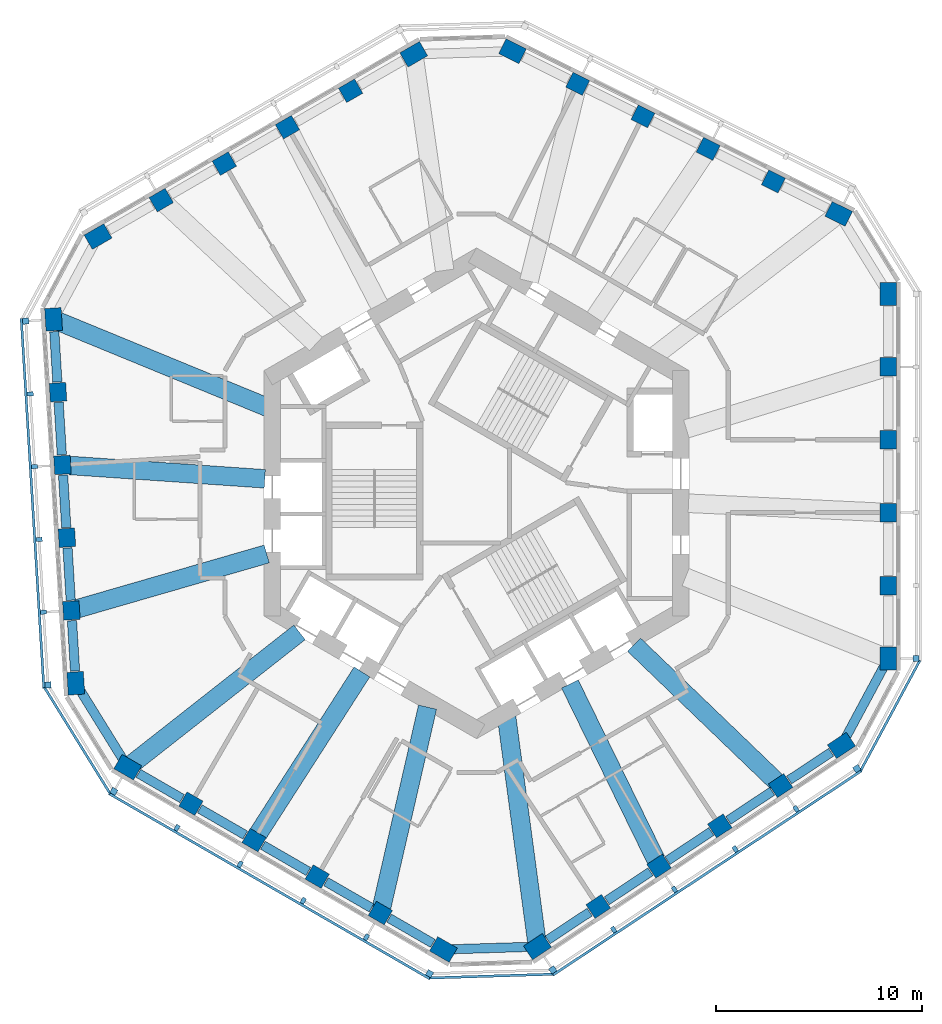
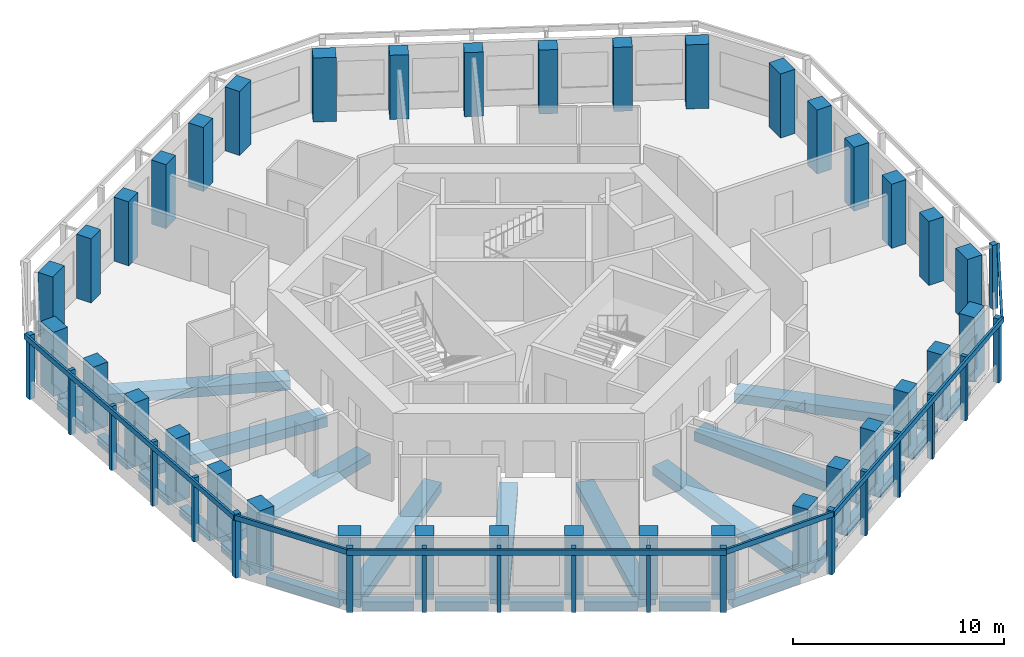
# One storey, part 1 of 11: 36 columns, 27 beams, 25 members, 7 elements without a shape of their own.
"""IFC4 building model written with IfcOpenShell, lengths in metres."""

import ifcopenshell
import ifcopenshell.guid

model = None  # the IFC model being written
_history = None  # IfcOwnerHistory: only IFC2X3 demands one
_inside = {}  # id of a spatial element -> (the spatial element, [elements in it])
_under = {}  # id of a project, library or spatial element -> (it, [spatial elements below it])
_declared = {}  # id of a project -> (the project, [libraries it declares])
_typed = {}  # id of a type object -> (the type object, [elements of that type])
_made_of = {}  # id of a material, layer set ... -> (it, [elements and type objects made of it])


def new_model(schema):
    """Start an empty IFC model of exactly this schema.

    Asked for "IFC4X3", IfcOpenShell would pick the latest addendum, in which some entities
    have other attributes; the version numbers below select the first issue.
    IFC2X3 requires an IfcOwnerHistory on every rooted entity: one is made here for all.
    """
    global model, _history
    if schema == "IFC4X3":
        model = ifcopenshell.file(schema_version=(4, 3, 0, 0))
    else:
        model = ifcopenshell.file(schema=schema)
    _inside.clear()
    _under.clear()
    _declared.clear()
    _typed.clear()
    _made_of.clear()
    _history = None
    if model.schema == "IFC2X3":
        org = make("IfcOrganization", Name="unknown")
        user = make(
            "IfcPersonAndOrganization",
            ThePerson=make("IfcPerson", FamilyName="unknown"),
            TheOrganization=org,
        )
        app = make(
            "IfcApplication",
            ApplicationDeveloper=org,
            Version="unknown",
            ApplicationFullName="unknown",
            ApplicationIdentifier="unknown",
        )
        _history = make(
            "IfcOwnerHistory",
            OwningUser=user,
            OwningApplication=app,
            ChangeAction="ADDED",
            CreationDate=0,
        )
    return model


def make(cls, **values):
    """One entity of the class cls with the attributes given. An attribute that is None is left unset."""
    return model.create_entity(
        cls, **{name: value for name, value in values.items() if value is not None}
    )


def rooted(cls, **values):
    """An entity with a GlobalId (a new one), such as an element, a storey or a relation."""
    return make(cls, GlobalId=ifcopenshell.guid.new(), OwnerHistory=_history, **values)


def si_unit(unit_type, name, prefix=None):
    """IfcSIUnit, for example si_unit("LENGTHUNIT", "METRE", prefix="MILLI")."""
    return make("IfcSIUnit", UnitType=unit_type, Prefix=prefix, Name=name)


def assignment(units):
    """IfcUnitAssignment: the units of a project."""
    return None if units is None else make("IfcUnitAssignment", Units=units)


def point(xyz):
    """IfcCartesianPoint."""
    return None if xyz is None else make("IfcCartesianPoint", Coordinates=xyz)


def direction(xyz):
    """IfcDirection."""
    return None if xyz is None else make("IfcDirection", DirectionRatios=xyz)


def frame(location, z_axis=None, x_axis=None):
    """IfcAxis2Placement3D, a coordinate frame: its origin and axes. An axis left out is left unset."""
    return make(
        "IfcAxis2Placement3D",
        Location=point(location),
        Axis=direction(z_axis),
        RefDirection=direction(x_axis),
    )


def frame_2d(location, x_axis=None):
    """IfcAxis2Placement2D, a coordinate frame in the plane: its origin and x axis."""
    return make(
        "IfcAxis2Placement2D", Location=point(location), RefDirection=direction(x_axis)
    )


def origin():
    """The frame at (0, 0, 0) with its axes left unset."""
    return frame((0.0, 0.0, 0.0))


def origin_2d():
    """The frame at (0, 0) in the plane with its x axis left unset."""
    return frame_2d((0.0, 0.0))


def place(relative_to, where):
    """IfcLocalPlacement: puts the frame where relative to a parent placement (None: the world)."""
    return make(
        "IfcLocalPlacement", PlacementRelTo=relative_to, RelativePlacement=where
    )


def context(
    kind, dimensions, precision=None, world=None, true_north=None, identifier=None
):
    """IfcGeometricRepresentationContext, for example the 3D "Model" context."""
    return make(
        "IfcGeometricRepresentationContext",
        ContextIdentifier=identifier,
        ContextType=kind,
        CoordinateSpaceDimension=dimensions,
        Precision=precision,
        WorldCoordinateSystem=world,
        TrueNorth=true_north,
    )


def subcontext(parent, identifier, kind, view, scale=None):
    """IfcGeometricRepresentationSubContext, for example "Body" below "Model"."""
    return make(
        "IfcGeometricRepresentationSubContext",
        ContextIdentifier=identifier,
        ContextType=kind,
        ParentContext=parent,
        TargetScale=scale,
        TargetView=view,
    )


def project(units=None, contexts=None):
    """IfcProject with its units and contexts."""
    return rooted(
        "IfcProject",
        Name="project",
        RepresentationContexts=contexts,
        UnitsInContext=assignment(units),
    )


def spatial(cls, under=None, at=None, **own):
    """A site, building, storey or space (cls), placed at a placement, below another one or the project."""
    s = rooted(cls, ObjectPlacement=at, **own)
    if under is not None:
        _under.setdefault(under.id(), (under, []))[1].append(s)
    return s


def profile(cls, at=None, kind="AREA", **sizes):
    """A parametric profile (cls). Its sizes go by their IFC names, for example OverallWidth=200.0."""
    return make(cls, ProfileType=kind, Position=at, **sizes)


def rectangle(**sizes):
    """IfcRectangleProfileDef."""
    return profile("IfcRectangleProfileDef", **sizes)


def extrude(swept, where, along, depth):
    """IfcExtrudedAreaSolid: the profile swept, set in the frame where, extruded along a direction by depth."""
    return make(
        "IfcExtrudedAreaSolid",
        SweptArea=swept,
        Position=where,
        ExtrudedDirection=direction(along),
        Depth=depth,
    )


def shape(context_of_items, identifier, shape_type, items):
    """IfcShapeRepresentation: the items that make up one representation, for example the "Body"."""
    return make(
        "IfcShapeRepresentation",
        ContextOfItems=context_of_items,
        RepresentationIdentifier=identifier,
        RepresentationType=shape_type,
        Items=items,
    )


def material(Name=None, Category=None):
    """IfcMaterial."""
    return make("IfcMaterial", Name=Name, Category=Category)


def material_profile(
    of_material, cross_section, Name=None, Category=None, Priority=None
):
    """IfcMaterialProfile: a cross section and its material."""
    return make(
        "IfcMaterialProfile",
        Name=Name,
        Material=of_material,
        Profile=cross_section,
        Priority=Priority,
        Category=Category,
    )


def profile_set(profiles, Name=None, composite=None):
    """IfcMaterialProfileSet."""
    return make(
        "IfcMaterialProfileSet",
        Name=Name,
        MaterialProfiles=profiles,
        CompositeProfile=composite,
    )


def made_of(thing, what):
    """Note that an element or type object is made of a material, layer set ...; save() writes the relation."""
    if what is not None:
        _made_of.setdefault(what.id(), (what, []))[1].append(thing)
    return thing


def type_object(cls, material=None, **own):
    """A type object (cls), such as IfcWallType, which elements share."""
    return made_of(rooted(cls, **own), material)


def element(
    cls,
    number,
    at=None,
    inside=None,
    cuts=None,
    type_object=None,
    material=None,
    context=None,
    identifier="Body",
    shape_type=None,
    held_by="IfcProductDefinitionShape",
    body=None,
    shapes=None,
    **own,
):
    """One element of the class cls, such as IfcWall. Its Tag is "e" and its number.

    at: its placement. inside: the storey or other place that contains it. cuts: it is an
    opening in that element (IfcRelVoidsElement). A single representation is given by context,
    identifier, shape_type and body (its items); several are given by shapes. held_by: the class
    of the entity that holds the representations. save() writes the other relations.
    """
    e = rooted(cls, Tag="e%d" % number, ObjectPlacement=at, **own)
    if body is not None:
        shapes = [shape(context, identifier, shape_type, body)]
    if shapes is not None:
        e.Representation = make(held_by, Representations=shapes)
    if inside is not None:
        _inside.setdefault(inside.id(), (inside, []))[1].append(e)
    if cuts is not None:
        rooted(
            "IfcRelVoidsElement", RelatingBuildingElement=cuts, RelatedOpeningElement=e
        )
    if type_object is not None:
        _typed.setdefault(type_object.id(), (type_object, []))[1].append(e)
    return made_of(e, material)


def aggregate(whole, parts):
    """IfcRelAggregates: a whole, such as a stair, and the parts it consists of."""
    return rooted("IfcRelAggregates", RelatingObject=whole, RelatedObjects=parts)


def save(model, path):
    """Write the relations noted so far, then the file.

    IfcRelAggregates (storeys below a building ...), IfcRelContainedInSpatialStructure (elements
    in a storey), IfcRelDefinesByType, IfcRelAssociatesMaterial and IfcRelDeclares: one each for
    every whole, place, type object, material and project.
    """
    for whole, parts in _under.values():
        aggregate(whole, parts)
    for where, things in _inside.values():
        rooted(
            "IfcRelContainedInSpatialStructure",
            RelatedElements=things,
            RelatingStructure=where,
        )
    for kind, things in _typed.values():
        rooted("IfcRelDefinesByType", RelatedObjects=things, RelatingType=kind)
    for what, things in _made_of.values():
        rooted("IfcRelAssociatesMaterial", RelatedObjects=things, RelatingMaterial=what)
    for by, libraries in _declared.values():
        rooted("IfcRelDeclares", RelatingContext=by, RelatedDefinitions=libraries)
    model.write(path)


model = new_model("IFC4")

# Units and contexts
model_context = context("Model", 3, precision=1e-05, world=origin(), true_north=direction((0.0, 1.0)))
body_context = subcontext(model_context, "Body", "Model", "MODEL_VIEW")
ifc_project = project(units=[si_unit("LENGTHUNIT", "METRE"), si_unit("AREAUNIT", "SQUARE_METRE"), si_unit("VOLUMEUNIT", "CUBIC_METRE"), si_unit("PLANEANGLEUNIT", "RADIAN"), si_unit("MASSUNIT", "GRAM", prefix="KILO")], contexts=[model_context])

# Site, building, storey
site_placement = place(None, origin())
site = spatial("IfcSite", under=ifc_project, at=site_placement, CompositionType="ELEMENT")
building_placement = place(site_placement, origin())
building = spatial("IfcBuilding", under=site, at=building_placement, Name="Vanh Sen Convention Tower", CompositionType="ELEMENT")
storey_placement = place(building_placement, frame((0.0, 0.0, 229.10009765625)))
storey = spatial("IfcBuildingStorey", under=building, at=storey_placement, Name="L56", CompositionType="ELEMENT", Elevation=229.10009765625)

# Columns
ifc_material_1 = material(Name="Concrete C60/75", Category="concrete")
ifc_material_profile_1 = material_profile(ifc_material_1, rectangle(XDim=0.89990234375, YDim=0.800048828125, at=origin_2d()), Name="RC 900X800")
ifc_profile_set_1 = profile_set([ifc_material_profile_1], Name="Concrete C60/75")
column_type_1 = type_object("IfcColumnType", Name="Facade column 900 x 800 C60/75", PredefinedType="COLUMN", material=ifc_profile_set_1)
for number, where, z_axis, x_axis, name in (
    (1, (19.949951171875, -4.46923828125, 0.0), (0.0, 0.0, 1.0), (0.0, 1.0, 0.0), "Facade column 02 L56"),
    (2, (19.949951171875, -0.935546875, 0.0), (0.0, 0.0, 1.0), (0.0, 1.0, 0.0), "Facade column 03 L56"),
    (3, (19.949951171875, 2.59814453125, 0.0), (0.0, 0.0, 1.0), (0.0, 1.0, 0.0), "Facade column 04 L56"),
    (4, (19.949951171875, 6.131591796875, 0.0), (0.0, 0.0, 1.0), (0.0, 1.0, 0.0), "Facade column 05 L56"),
    (5, (14.38916015625, 15.117919921875, 0.0), (0.0, 0.0, 1.0), (-0.894934361602, 0.44619781311, 0.0), "Facade column 08 L56"),
    (6, (11.226806640625, 16.694580078125, 0.0), (0.0, 0.0, 1.0), (-0.894934361602, 0.44619781311, 0.0), "Facade column 09 L56"),
    (7, (8.064453125, 18.271484375, 0.0), (0.0, 0.0, 1.0), (-0.894934361602, 0.44619781311, 0.0), "Facade column 10 L56"),
    (8, (4.902099609375, 19.84814453125, 0.0), (0.0, 0.0, 1.0), (-0.894934361602, 0.44619781311, 0.0), "Facade column 11 L56"),
    (9, (-6.1044921875, 19.51171875, 0.0), (0.0, 0.0, 1.0), (-0.866025403784, -0.5, 0.0), "Facade column 14 L56"),
    (10, (-9.164794921875, 17.7451171875, 0.0), (0.0, 0.0, 1.0), (-0.866025403784, -0.5, 0.0), "Facade column 15 L56"),
    (11, (-12.22509765625, 15.978271484375, 0.0), (0.0, 0.0, 1.0), (-0.866025403784, -0.5, 0.0), "Facade column 16 L56"),
    (12, (-15.28515625, 14.211181640625, 0.0), (0.0, 0.0, 1.0), (-0.866025403784, -0.5, 0.0), "Facade column 17 L56"),
    (13, (-20.287109375, 4.90234375, 0.0), (0.0, 0.0, 1.0), (0.061048539535, -0.998134798422, 0.0), "Facade column 20 L56"),
    (14, (-20.0712890625, 1.375244140625, 0.0), (0.0, 0.0, 1.0), (0.061048539535, -0.998134798422, 0.0), "Facade column 21 L56"),
    (15, (-19.855712890625, -2.151611328125, 0.0), (0.0, 0.0, 1.0), (0.061048539535, -0.998134798422, 0.0), "Facade column 22 L56"),
    (16, (-19.639892578125, -5.6787109375, 0.0), (0.0, 0.0, 1.0), (0.061048539535, -0.998134798422, 0.0), "Facade column 23 L56"),
    (17, (-13.845458984375, -15.04248046875, 0.0), (0.0, 0.0, 1.0), (0.866025403784, -0.5, 0.0), "Facade column 26 L56"),
    (18, (-10.78515625, -16.809326171875, 0.0), (0.0, 0.0, 1.0), (0.866025403784, -0.5, 0.0), "Facade column 27 L56"),
    (19, (-7.72509765625, -18.576416015625, 0.0), (0.0, 0.0, 1.0), (0.866025403784, -0.5, 0.0), "Facade column 28 L56"),
    (20, (-4.664794921875, -20.343017578125, 0.0), (0.0, 0.0, 1.0), (0.866025403784, -0.5, 0.0), "Facade column 29 L56"),
    (21, (5.89794921875, -20.0205078125, 0.0), (0.0, 0.0, 1.0), (0.833885822067, 0.551936985312, 0.0), "Facade column 32 L56"),
    (22, (8.844482421875, -18.070068359375, 0.0), (0.0, 0.0, 1.0), (0.833885822067, 0.551936985312, 0.0), "Facade column 33 L56"),
    (23, (11.791259765625, -16.11962890625, 0.0), (0.0, 0.0, 1.0), (0.833885822067, 0.551936985312, 0.0), "Facade column 34 L56"),
    (24, (14.73779296875, -14.169189453125, 0.0), (0.0, 0.0, 1.0), (0.833885822067, 0.551936985312, 0.0), "Facade column 35 L56"),
):
    element("IfcColumn", number, at=place(storey_placement, frame(where, z_axis=z_axis, x_axis=x_axis)), inside=storey, type_object=column_type_1, Name=name, PredefinedType="COLUMN", context=body_context, shape_type="SweptSolid", body=[
        extrude(rectangle(XDim=0.89990234375, YDim=0.800048828125, at=origin_2d()), origin(), (0.0, 0.0, 1.0), 3.699951171875),
    ])
ifc_material_profile_2 = material_profile(ifc_material_1, rectangle(XDim=1.10009765625, YDim=0.800048828125, at=origin_2d()), Name="RC 1100X800")
ifc_profile_set_2 = profile_set([ifc_material_profile_2], Name="Concrete C60/75")
column_type_2 = type_object("IfcColumnType", Name="Facade corner column 1100 x 800 C60/75", PredefinedType="COLUMN", material=ifc_profile_set_2)
for number, where, z_axis, x_axis, name in (
    (25, (19.949951171875, -8.002685546875, 0.0), (0.0, 0.0, 1.0), (0.0, 1.0, 0.0), "Facade column 01 L56"),
    (26, (19.949951171875, 9.665283203125, 0.0), (0.0, 0.0, 1.0), (0.0, 1.0, 0.0), "Facade column 06 L56"),
    (27, (17.551513671875, 13.541259765625, 0.0), (0.0, 0.0, 1.0), (-0.894934361602, 0.44619781311, 0.0), "Facade column 07 L56"),
    (28, (1.73974609375, 21.4248046875, 0.0), (0.0, 0.0, 1.0), (-0.894934361602, 0.44619781311, 0.0), "Facade column 12 L56"),
    (29, (-3.04443359375, 21.278564453125, 0.0), (0.0, 0.0, 1.0), (-0.866025403784, -0.5, 0.0), "Facade column 13 L56"),
    (30, (-18.345458984375, 12.444580078125, 0.0), (0.0, 0.0, 1.0), (-0.866025403784, -0.5, 0.0), "Facade column 18 L56"),
    (31, (-20.502685546875, 8.429443359375, 0.0), (0.0, 0.0, 1.0), (0.061048539535, -0.998134798422, 0.0), "Facade column 19 L56"),
    (32, (-19.42431640625, -9.205810546875, 0.0), (0.0, 0.0, 1.0), (0.061048539535, -0.998134798422, 0.0), "Facade column 24 L56"),
    (33, (-16.905517578125, -13.27587890625, 0.0), (0.0, 0.0, 1.0), (0.866025403784, -0.5, 0.0), "Facade column 25 L56"),
    (34, (-1.6044921875, -22.10986328125, 0.0), (0.0, 0.0, 1.0), (0.866025403784, -0.5, 0.0), "Facade column 30 L56"),
    (35, (2.951416015625, -21.970703125, 0.0), (0.0, 0.0, 1.0), (0.833885822067, 0.551936985312, 0.0), "Facade column 31 L56"),
    (36, (17.6845703125, -12.218994140625, 0.0), (0.0, 0.0, 1.0), (0.833885822067, 0.551936985312, 0.0), "Facade column 36 L56"),
):
    element("IfcColumn", number, at=place(storey_placement, frame(where, z_axis=z_axis, x_axis=x_axis)), inside=storey, type_object=column_type_2, Name=name, PredefinedType="COLUMN", context=body_context, shape_type="SweptSolid", body=[
        extrude(rectangle(XDim=1.10009765625, YDim=0.800048828125, at=origin_2d()), origin(), (0.0, 0.0, 1.0), 3.699951171875),
    ])

# Curtain wall, member
ifc_material_2 = material(Name="Concrete C50/60", Category="concrete")
curtain_wall_type = type_object("IfcCurtainWallType", Name="Outer skin office zone", PredefinedType="NOTDEFINED", material=ifc_material_2)
curtain_wall_1_placement = place(storey_placement, origin())
curtain_wall_1 = element("IfcCurtainWall", 37, at=curtain_wall_1_placement, inside=storey, type_object=curtain_wall_type, Name="OUTER SKIN E L56", PredefinedType="NOTDEFINED")
ifc_material_profile_3 = material_profile(ifc_material_2, rectangle(XDim=0.300048828125, YDim=0.300048828125, at=origin_2d()), Name="Outer skin precast corner fin 300 x 300")
ifc_profile_set_3 = profile_set([ifc_material_profile_3], Name="Concrete C50/60")
member_type_1 = type_object("IfcMemberType", Name="Outer skin precast corner fin 300 x 300", PredefinedType="MULLION", material=ifc_profile_set_3)
member_1_placement = place(storey_placement, frame((21.300048828125, -8.002685546875, 0.0), z_axis=(0.0, 0.0, 1.0), x_axis=(0.0, 1.0, 0.0)))
member_1 = element("IfcMember", 38, at=member_1_placement, type_object=member_type_1, Name="OUTER SKIN CORNER FIN 1 E L56", PredefinedType="MULLION", context=body_context, shape_type="SweptSolid", body=[
    extrude(rectangle(XDim=0.300048828125, YDim=0.300048828125, at=origin_2d()), origin(), (0.0, 0.0, 1.0), 3.699951171875),
])
aggregate(curtain_wall_1, [member_1])

# Curtain wall, members
curtain_wall_2_placement = place(storey_placement, origin())
curtain_wall_2 = element("IfcCurtainWall", 39, at=curtain_wall_2_placement, inside=storey, type_object=curtain_wall_type, Name="OUTER SKIN W L56", PredefinedType="NOTDEFINED")
member_2_placement = place(storey_placement, frame((-21.850341796875, 8.346923828125, 0.0), z_axis=(0.0, 0.0, 1.0), x_axis=(0.061048539535, -0.998134798422, 0.0)))
member_2 = element("IfcMember", 40, at=member_2_placement, type_object=member_type_1, Name="OUTER SKIN CORNER FIN 1 W L56", PredefinedType="MULLION", context=body_context, shape_type="SweptSolid", body=[
    extrude(rectangle(XDim=0.300048828125, YDim=0.300048828125, at=origin_2d()), origin(), (0.0, 0.0, 1.0), 3.699951171875),
])
member_3_placement = place(storey_placement, frame((-20.771728515625, -9.2880859375, 0.0), z_axis=(0.0, 0.0, 1.0), x_axis=(0.061048539535, -0.998134798422, 0.0)))
member_3 = element("IfcMember", 41, at=member_3_placement, type_object=member_type_1, Name="OUTER SKIN CORNER FIN 6 W L56", PredefinedType="MULLION", context=body_context, shape_type="SweptSolid", body=[
    extrude(rectangle(XDim=0.300048828125, YDim=0.300048828125, at=origin_2d()), origin(), (0.0, 0.0, 1.0), 3.699951171875),
])

curtain_wall_3_placement = place(storey_placement, origin())
curtain_wall_3 = element("IfcCurtainWall", 42, at=curtain_wall_3_placement, inside=storey, type_object=curtain_wall_type, Name="OUTER SKIN SW L56", PredefinedType="NOTDEFINED")
member_4_placement = place(storey_placement, frame((-17.58056640625, -14.44482421875, 0.0), z_axis=(0.0, 0.0, 1.0), x_axis=(0.866025403784, -0.5, 0.0)))
member_4 = element("IfcMember", 43, at=member_4_placement, type_object=member_type_1, Name="OUTER SKIN CORNER FIN 1 SW L56", PredefinedType="MULLION", context=body_context, shape_type="SweptSolid", body=[
    extrude(rectangle(XDim=0.300048828125, YDim=0.300048828125, at=origin_2d()), origin(), (0.0, 0.0, 1.0), 3.699951171875),
])
member_5_placement = place(storey_placement, frame((-2.279541015625, -23.279052734375, 0.0), z_axis=(0.0, 0.0, 1.0), x_axis=(0.866025403784, -0.5, 0.0)))
member_5 = element("IfcMember", 44, at=member_5_placement, type_object=member_type_1, Name="OUTER SKIN CORNER FIN 6 SW L56", PredefinedType="MULLION", context=body_context, shape_type="SweptSolid", body=[
    extrude(rectangle(XDim=0.300048828125, YDim=0.300048828125, at=origin_2d()), origin(), (0.0, 0.0, 1.0), 3.699951171875),
])

curtain_wall_4_placement = place(storey_placement, origin())
curtain_wall_4 = element("IfcCurtainWall", 45, at=curtain_wall_4_placement, inside=storey, type_object=curtain_wall_type, Name="OUTER SKIN SE L56", PredefinedType="NOTDEFINED")
member_6_placement = place(storey_placement, frame((3.6962890625, -23.096435546875, 0.0), z_axis=(0.0, 0.0, 1.0), x_axis=(0.833885822067, 0.551936985312, 0.0)))
member_6 = element("IfcMember", 46, at=member_6_placement, type_object=member_type_1, Name="OUTER SKIN CORNER FIN 1 SE L56", PredefinedType="MULLION", context=body_context, shape_type="SweptSolid", body=[
    extrude(rectangle(XDim=0.300048828125, YDim=0.300048828125, at=origin_2d()), origin(), (0.0, 0.0, 1.0), 3.699951171875),
])
member_7_placement = place(storey_placement, frame((18.4296875, -13.3447265625, 0.0), z_axis=(0.0, 0.0, 1.0), x_axis=(0.833885822067, 0.551936985312, 0.0)))
member_7 = element("IfcMember", 47, at=member_7_placement, type_object=member_type_1, Name="OUTER SKIN CORNER FIN 6 SE L56", PredefinedType="MULLION", context=body_context, shape_type="SweptSolid", body=[
    extrude(rectangle(XDim=0.300048828125, YDim=0.300048828125, at=origin_2d()), origin(), (0.0, 0.0, 1.0), 3.699951171875),
])

# Member
ifc_material_profile_4 = material_profile(ifc_material_2, rectangle(XDim=0.199951171875, YDim=0.300048828125, at=origin_2d()), Name="Outer skin precast fin 200 x 300")
ifc_profile_set_4 = profile_set([ifc_material_profile_4], Name="Concrete C50/60")
member_type_2 = type_object("IfcMemberType", Name="Outer skin precast fin 200 x 300", PredefinedType="MULLION", material=ifc_profile_set_4)
member_8_placement = place(storey_placement, frame((-21.634521484375, 4.820068359375, 0.0), z_axis=(0.0, 0.0, 1.0), x_axis=(0.061048539535, -0.998134798422, 0.0)))
member_8 = element("IfcMember", 48, at=member_8_placement, type_object=member_type_2, Name="OUTER SKIN fin 2 W L56", PredefinedType="MULLION", context=body_context, shape_type="SweptSolid", body=[
    extrude(rectangle(XDim=0.199951171875, YDim=0.300048828125, at=origin_2d()), origin(), (0.0, 0.0, 1.0), 3.699951171875),
])

member_9_placement = place(storey_placement, frame((-21.4189453125, 1.29296875, 0.0), z_axis=(0.0, 0.0, 1.0), x_axis=(0.061048539535, -0.998134798422, 0.0)))
member_9 = element("IfcMember", 49, at=member_9_placement, type_object=member_type_2, Name="OUTER SKIN fin 3 W L56", PredefinedType="MULLION", context=body_context, shape_type="SweptSolid", body=[
    extrude(rectangle(XDim=0.199951171875, YDim=0.300048828125, at=origin_2d()), origin(), (0.0, 0.0, 1.0), 3.699951171875),
])

member_10_placement = place(storey_placement, frame((-21.203125, -2.234130859375, 0.0), z_axis=(0.0, 0.0, 1.0), x_axis=(0.061048539535, -0.998134798422, 0.0)))
member_10 = element("IfcMember", 50, at=member_10_placement, type_object=member_type_2, Name="OUTER SKIN fin 4 W L56", PredefinedType="MULLION", context=body_context, shape_type="SweptSolid", body=[
    extrude(rectangle(XDim=0.199951171875, YDim=0.300048828125, at=origin_2d()), origin(), (0.0, 0.0, 1.0), 3.699951171875),
])

member_11_placement = place(storey_placement, frame((-20.987548828125, -5.760986328125, 0.0), z_axis=(0.0, 0.0, 1.0), x_axis=(0.061048539535, -0.998134798422, 0.0)))
member_11 = element("IfcMember", 51, at=member_11_placement, type_object=member_type_2, Name="OUTER SKIN fin 5 W L56", PredefinedType="MULLION", context=body_context, shape_type="SweptSolid", body=[
    extrude(rectangle(XDim=0.199951171875, YDim=0.300048828125, at=origin_2d()), origin(), (0.0, 0.0, 1.0), 3.699951171875),
])

member_12_placement = place(storey_placement, frame((-14.5205078125, -16.211669921875, 0.0), z_axis=(0.0, 0.0, 1.0), x_axis=(0.866025403784, -0.5, 0.0)))
member_12 = element("IfcMember", 52, at=member_12_placement, type_object=member_type_2, Name="OUTER SKIN fin 2 SW L56", PredefinedType="MULLION", context=body_context, shape_type="SweptSolid", body=[
    extrude(rectangle(XDim=0.199951171875, YDim=0.300048828125, at=origin_2d()), origin(), (0.0, 0.0, 1.0), 3.699951171875),
])

member_13_placement = place(storey_placement, frame((-11.460205078125, -17.978515625, 0.0), z_axis=(0.0, 0.0, 1.0), x_axis=(0.866025403784, -0.5, 0.0)))
member_13 = element("IfcMember", 53, at=member_13_placement, type_object=member_type_2, Name="OUTER SKIN fin 3 SW L56", PredefinedType="MULLION", context=body_context, shape_type="SweptSolid", body=[
    extrude(rectangle(XDim=0.199951171875, YDim=0.300048828125, at=origin_2d()), origin(), (0.0, 0.0, 1.0), 3.699951171875),
])

member_14_placement = place(storey_placement, frame((-8.39990234375, -19.745361328125, 0.0), z_axis=(0.0, 0.0, 1.0), x_axis=(0.866025403784, -0.5, 0.0)))
member_14 = element("IfcMember", 54, at=member_14_placement, type_object=member_type_2, Name="OUTER SKIN fin 4 SW L56", PredefinedType="MULLION", context=body_context, shape_type="SweptSolid", body=[
    extrude(rectangle(XDim=0.199951171875, YDim=0.300048828125, at=origin_2d()), origin(), (0.0, 0.0, 1.0), 3.699951171875),
])

member_15_placement = place(storey_placement, frame((-5.33984375, -21.51220703125, 0.0), z_axis=(0.0, 0.0, 1.0), x_axis=(0.866025403784, -0.5, 0.0)))
member_15 = element("IfcMember", 55, at=member_15_placement, type_object=member_type_2, Name="OUTER SKIN fin 5 SW L56", PredefinedType="MULLION", context=body_context, shape_type="SweptSolid", body=[
    extrude(rectangle(XDim=0.199951171875, YDim=0.300048828125, at=origin_2d()), origin(), (0.0, 0.0, 1.0), 3.699951171875),
])

member_16_placement = place(storey_placement, frame((6.64306640625, -21.14599609375, 0.0), z_axis=(0.0, 0.0, 1.0), x_axis=(0.833885822067, 0.551936985312, 0.0)))
member_16 = element("IfcMember", 56, at=member_16_placement, type_object=member_type_2, Name="OUTER SKIN fin 2 SE L56", PredefinedType="MULLION", context=body_context, shape_type="SweptSolid", body=[
    extrude(rectangle(XDim=0.199951171875, YDim=0.300048828125, at=origin_2d()), origin(), (0.0, 0.0, 1.0), 3.699951171875),
])

member_17_placement = place(storey_placement, frame((9.589599609375, -19.19580078125, 0.0), z_axis=(0.0, 0.0, 1.0), x_axis=(0.833885822067, 0.551936985312, 0.0)))
member_17 = element("IfcMember", 57, at=member_17_placement, type_object=member_type_2, Name="OUTER SKIN fin 3 SE L56", PredefinedType="MULLION", context=body_context, shape_type="SweptSolid", body=[
    extrude(rectangle(XDim=0.199951171875, YDim=0.300048828125, at=origin_2d()), origin(), (0.0, 0.0, 1.0), 3.699951171875),
])

member_18_placement = place(storey_placement, frame((12.536376953125, -17.245361328125, 0.0), z_axis=(0.0, 0.0, 1.0), x_axis=(0.833885822067, 0.551936985312, 0.0)))
member_18 = element("IfcMember", 58, at=member_18_placement, type_object=member_type_2, Name="OUTER SKIN fin 4 SE L56", PredefinedType="MULLION", context=body_context, shape_type="SweptSolid", body=[
    extrude(rectangle(XDim=0.199951171875, YDim=0.300048828125, at=origin_2d()), origin(), (0.0, 0.0, 1.0), 3.699951171875),
])

member_19_placement = place(storey_placement, frame((15.48291015625, -15.294921875, 0.0), z_axis=(0.0, 0.0, 1.0), x_axis=(0.833885822067, 0.551936985312, 0.0)))
member_19 = element("IfcMember", 59, at=member_19_placement, type_object=member_type_2, Name="OUTER SKIN fin 5 SE L56", PredefinedType="MULLION", context=body_context, shape_type="SweptSolid", body=[
    extrude(rectangle(XDim=0.199951171875, YDim=0.300048828125, at=origin_2d()), origin(), (0.0, 0.0, 1.0), 3.699951171875),
])

ifc_material_profile_5 = material_profile(ifc_material_2, rectangle(XDim=0.1201171875, YDim=0.300048828125, at=origin_2d()), Name="Outer skin precast spandrel band 300 x 120")
ifc_profile_set_5 = profile_set([ifc_material_profile_5], Name="Concrete C50/60")
member_type_3 = type_object("IfcMemberType", Name="Outer skin precast spandrel band 300 x 120", PredefinedType="USERDEFINED", material=ifc_profile_set_5)
member_20_placement = place(storey_placement, frame((-22.069091796875, 8.48388671875, 3.5498046875), z_axis=(0.061048457282, -0.998134803453, 0.0), x_axis=(0.998134803453, 0.061048457282, 0.0)))
member_20 = element("IfcMember", 60, at=member_20_placement, type_object=member_type_3, Name="OUTER SKIN spandrel band W L56", ObjectType="TRANSOM", PredefinedType="USERDEFINED", context=body_context, shape_type="SweptSolid", body=[
    extrude(rectangle(XDim=0.1201171875, YDim=0.300048828125, at=origin_2d()), origin(), (0.0, 0.0, 1.0), 17.968017578125),
])

aggregate(curtain_wall_2, [member_2, member_8, member_9, member_10, member_11, member_3, member_20])

# Curtain wall, member
curtain_wall_5_placement = place(storey_placement, origin())
curtain_wall_5 = element("IfcCurtainWall", 61, at=curtain_wall_5_placement, inside=storey, type_object=curtain_wall_type, Name="OUTER SKIN CH4 L56", PredefinedType="NOTDEFINED")
member_21_placement = place(storey_placement, frame((-20.9501953125, -9.398681640625, 3.5498046875), z_axis=(0.526193830542, -0.850364658661, 0.0), x_axis=(0.850364658661, 0.526193830542, 0.0)))
member_21 = element("IfcMember", 62, at=member_21_placement, type_object=member_type_3, Name="OUTER SKIN spandrel band CH4 L56", ObjectType="TRANSOM", PredefinedType="USERDEFINED", context=body_context, shape_type="SweptSolid", body=[
    extrude(rectangle(XDim=0.1201171875, YDim=0.300048828125, at=origin_2d()), origin(), (0.0, 0.0, 1.0), 6.064208984375),
])
aggregate(curtain_wall_5, [member_21])

# Member
member_22_placement = place(storey_placement, frame((-17.8154296875, -14.5517578125, 3.5498046875), z_axis=(0.866022898019, -0.500004340088, 0.0), x_axis=(0.500004340088, 0.866022898019, 0.0)))
member_22 = element("IfcMember", 63, at=member_22_placement, type_object=member_type_3, Name="OUTER SKIN spandrel band SW L56", ObjectType="TRANSOM", PredefinedType="USERDEFINED", context=body_context, shape_type="SweptSolid", body=[
    extrude(rectangle(XDim=0.1201171875, YDim=0.300048828125, at=origin_2d()), origin(), (0.0, 0.0, 1.0), 17.968017578125),
])

aggregate(curtain_wall_3, [member_4, member_12, member_13, member_14, member_15, member_5, member_22])

# Curtain wall, member
curtain_wall_6_placement = place(storey_placement, origin())
curtain_wall_6 = element("IfcCurtainWall", 64, at=curtain_wall_6_placement, inside=storey, type_object=curtain_wall_type, Name="OUTER SKIN CH5 L56", PredefinedType="NOTDEFINED")
member_23_placement = place(storey_placement, frame((-2.273193359375, -23.489013671875, 3.5498046875), z_axis=(0.99953342946, 0.030543794642, 0.0), x_axis=(-0.030543794642, 0.99953342946, 0.0)))
member_23 = element("IfcMember", 65, at=member_23_placement, type_object=member_type_3, Name="OUTER SKIN spandrel band CH5 L56", ObjectType="TRANSOM", PredefinedType="USERDEFINED", context=body_context, shape_type="SweptSolid", body=[
    extrude(rectangle(XDim=0.1201171875, YDim=0.300048828125, at=origin_2d()), origin(), (0.0, 0.0, 1.0), 5.978759765625),
])
aggregate(curtain_wall_6, [member_23])

# Member
member_24_placement = place(storey_placement, frame((3.687255859375, -23.3544921875, 3.5498046875), z_axis=(0.83388107344, 0.551944159638, 0.0), x_axis=(-0.551944159638, 0.83388107344, 0.0)))
member_24 = element("IfcMember", 66, at=member_24_placement, type_object=member_type_3, Name="OUTER SKIN spandrel band SE L56", ObjectType="TRANSOM", PredefinedType="USERDEFINED", context=body_context, shape_type="SweptSolid", body=[
    extrude(rectangle(XDim=0.1201171875, YDim=0.300048828125, at=origin_2d()), origin(), (0.0, 0.0, 1.0), 17.96826171875),
])

aggregate(curtain_wall_4, [member_6, member_16, member_17, member_18, member_19, member_7, member_24])

# Curtain wall, member
curtain_wall_7_placement = place(storey_placement, origin())
curtain_wall_7 = element("IfcCurtainWall", 67, at=curtain_wall_7_placement, inside=storey, type_object=curtain_wall_type, Name="OUTER SKIN CH6 L56", PredefinedType="NOTDEFINED")
member_25_placement = place(storey_placement, frame((18.61474609375, -13.444091796875, 3.5498046875), z_axis=(0.473333785199, 0.880883152177, 0.0), x_axis=(-0.880883152177, 0.473333785199, 0.0)))
member_25 = element("IfcMember", 68, at=member_25_placement, type_object=member_type_3, Name="OUTER SKIN spandrel band CH6 L56", ObjectType="TRANSOM", PredefinedType="USERDEFINED", context=body_context, shape_type="SweptSolid", body=[
    extrude(rectangle(XDim=0.1201171875, YDim=0.300048828125, at=origin_2d()), origin(), (0.0, 0.0, 1.0), 6.064208984375),
])
aggregate(curtain_wall_7, [member_25])

# Beams
ifc_material_3 = material(Name="Concrete C50/60", Category="concrete")
ifc_material_profile_6 = material_profile(ifc_material_3, rectangle(XDim=0.89990234375, YDim=0.550048828125, at=origin_2d()), Name="RC 900X550")
ifc_profile_set_6 = profile_set([ifc_material_profile_6], Name="Concrete C50/60")
beam_type_1 = type_object("IfcBeamType", Name="Radial floor beam 900 x 550", PredefinedType="BEAM", material=ifc_profile_set_6)
beam_1_placement = place(storey_placement, frame((-20.298095703125, 8.34521484375, -0.55517578125), z_axis=(0.924881589255, -0.380255237778, 0.0), x_axis=(0.380255237778, 0.924881589255, 0.0)))
element("IfcBeam", 69, at=beam_1_placement, inside=storey, type_object=beam_type_1, Name="Radial beam 10 L56", PredefinedType="BEAM", context=body_context, shape_type="SweptSolid", body=[
    extrude(rectangle(XDim=0.89990234375, YDim=0.550048828125, at=origin_2d()), origin(), (0.0, 0.0, 1.0), 11.000244140625),
])
beam_2_placement = place(storey_placement, frame((-19.732421875, 1.35205078125, -0.55517578125), z_axis=(0.997661339791, -0.068350940638, 0.0), x_axis=(0.068350940638, 0.997661339791, 0.0)))
element("IfcBeam", 70, at=beam_2_placement, inside=storey, type_object=beam_type_1, Name="Radial beam 11 L56", PredefinedType="BEAM", context=body_context, shape_type="SweptSolid", body=[
    extrude(rectangle(XDim=0.89990234375, YDim=0.550048828125, at=origin_2d()), origin(), (0.0, 0.0, 1.0), 9.490478515625),
])
beam_3_placement = place(storey_placement, frame((-19.377197265625, -5.602783203125, -0.55517578125), z_axis=(0.960650160497, 0.277761172838, 0.0), x_axis=(-0.277761172838, 0.960650160497, 0.0)))
element("IfcBeam", 71, at=beam_3_placement, inside=storey, type_object=beam_type_1, Name="Radial beam 12 L56", PredefinedType="BEAM", context=body_context, shape_type="SweptSolid", body=[
    extrude(rectangle(XDim=0.89990234375, YDim=0.550048828125, at=origin_2d()), origin(), (0.0, 0.0, 1.0), 9.584228515625),
])
beam_4_placement = place(storey_placement, frame((-16.71240234375, -13.124267578125, -0.55517578125), z_axis=(0.786468287058, 0.617630661036, 0.0), x_axis=(-0.617630661036, 0.786468287058, 0.0)))
element("IfcBeam", 72, at=beam_4_placement, inside=storey, type_object=beam_type_1, Name="Radial beam 13 L56", PredefinedType="BEAM", context=body_context, shape_type="SweptSolid", body=[
    extrude(rectangle(XDim=0.89990234375, YDim=0.550048828125, at=origin_2d()), origin(), (0.0, 0.0, 1.0), 10.33740234375),
])
beam_5_placement = place(storey_placement, frame((-10.5830078125, -16.494384765625, -0.55517578125), z_axis=(0.5400100621, 0.841658560718, 0.0), x_axis=(-0.841658560718, 0.5400100621, 0.0)))
element("IfcBeam", 73, at=beam_5_placement, inside=storey, type_object=beam_type_1, Name="Radial beam 14 L56", PredefinedType="BEAM", context=body_context, shape_type="SweptSolid", body=[
    extrude(rectangle(XDim=0.89990234375, YDim=0.550048828125, at=origin_2d()), origin(), (0.0, 0.0, 1.0), 9.3125),
])
beam_6_placement = place(storey_placement, frame((-4.61279296875, -20.1162109375, -0.55517578125), z_axis=(0.223497859451, 0.974704420233, 0.0), x_axis=(-0.974704420233, 0.223497859451, 0.0)))
element("IfcBeam", 74, at=beam_6_placement, inside=storey, type_object=beam_type_1, Name="Radial beam 15 L56", PredefinedType="BEAM", context=body_context, shape_type="SweptSolid", body=[
    extrude(rectangle(XDim=0.89990234375, YDim=0.550048828125, at=origin_2d()), origin(), (0.0, 0.0, 1.0), 10.006103515625),
])
beam_7_placement = place(storey_placement, frame((2.921875, -21.751220703125, -0.55517578125), z_axis=(-0.133144963531, 0.991096573844, 0.0), x_axis=(-0.991096573844, -0.133144963531, 0.0)))
element("IfcBeam", 75, at=beam_7_placement, inside=storey, type_object=beam_type_1, Name="Radial beam 16 L56", PredefinedType="BEAM", context=body_context, shape_type="SweptSolid", body=[
    extrude(rectangle(XDim=0.89990234375, YDim=0.550048828125, at=origin_2d()), origin(), (0.0, 0.0, 1.0), 11.0),
])
beam_8_placement = place(storey_placement, frame((8.6953125, -17.764892578125, -0.55517578125), z_axis=(-0.439634555361, 0.89817674081, 0.0), x_axis=(-0.89817674081, -0.439634555361, 0.0)))
element("IfcBeam", 76, at=beam_8_placement, inside=storey, type_object=beam_type_1, Name="Radial beam 17 L56", PredefinedType="BEAM", context=body_context, shape_type="SweptSolid", body=[
    extrude(rectangle(XDim=0.89990234375, YDim=0.550048828125, at=origin_2d()), origin(), (0.0, 0.0, 1.0), 9.490478515625),
])
beam_9_placement = place(storey_placement, frame((14.540771484375, -13.979736328125, -0.55517578125), z_axis=(-0.720878586957, 0.693061370202, 0.0), x_axis=(-0.693061370202, -0.720878586957, 0.0)))
element("IfcBeam", 77, at=beam_9_placement, inside=storey, type_object=beam_type_1, Name="Radial beam 18 L56", PredefinedType="BEAM", context=body_context, shape_type="SweptSolid", body=[
    extrude(rectangle(XDim=0.89990234375, YDim=0.550048828125, at=origin_2d()), origin(), (0.0, 0.0, 1.0), 9.583984375),
])
ifc_material_profile_7 = material_profile(ifc_material_3, rectangle(XDim=0.449951171875, YDim=0.5, at=origin_2d()), Name="RC 450X500")
ifc_profile_set_7 = profile_set([ifc_material_profile_7], Name="Concrete C50/60")
beam_type_2 = type_object("IfcBeamType", Name="Spandrel beam 450 x 500", PredefinedType="SPANDREL", material=ifc_profile_set_7)
beam_10_placement = place(storey_placement, frame((-20.466552734375, 7.83544921875, -0.530029296875), z_axis=(0.061047088694, -0.998134887158, 0.0), x_axis=(0.998134887158, 0.061047088694, 0.0)))
element("IfcBeam", 78, at=beam_10_placement, inside=storey, type_object=beam_type_2, Name="Spandrel beam 19 L56", PredefinedType="SPANDREL", context=body_context, shape_type="SweptSolid", body=[
    extrude(rectangle(XDim=0.449951171875, YDim=0.5, at=origin_2d()), origin(), (0.0, 0.0, 1.0), 2.443603515625),
])
for number, where, z_axis, x_axis, name in (
    (79, (-20.2568359375, 4.408447265625, -0.530029296875), (0.061039814536, -0.998135332027, 0.0), (0.998135332027, 0.061039814536, 0.0), "Spandrel beam 20 L56"),
    (80, (-20.041259765625, 0.88134765625, -0.530029296875), (0.061039814536, -0.998135332027, 0.0), (0.998135332027, 0.061039814536, 0.0), "Spandrel beam 21 L56"),
    (81, (-19.825439453125, -2.645751953125, -0.530029296875), (0.061039814536, -0.998135332027, 0.0), (0.998135332027, 0.061039814536, 0.0), "Spandrel beam 22 L56"),
):
    element("IfcBeam", number, at=place(storey_placement, frame(where, z_axis=z_axis, x_axis=x_axis)), inside=storey, type_object=beam_type_2, Name=name, PredefinedType="SPANDREL", context=body_context, shape_type="SweptSolid", body=[
        extrude(rectangle(XDim=0.449951171875, YDim=0.5, at=origin_2d()), origin(), (0.0, 0.0, 1.0), 2.543701171875),
    ])
beam_11_placement = place(storey_placement, frame((-19.60986328125, -6.172607421875, -0.530029296875), z_axis=(0.061140531541, -0.998129167695, 0.0), x_axis=(0.998129167695, 0.061140531541, 0.0)))
element("IfcBeam", 82, at=beam_11_placement, inside=storey, type_object=beam_type_2, Name="Spandrel beam 23 L56", PredefinedType="SPANDREL", context=body_context, shape_type="SweptSolid", body=[
    extrude(rectangle(XDim=0.449951171875, YDim=0.5, at=origin_2d()), origin(), (0.0, 0.0, 1.0), 2.44384765625),
])
beam_12_placement = place(storey_placement, frame((-19.202392578125, -9.564208984375, -0.530029296875), z_axis=(0.52623738605, -0.850337705576, 0.0), x_axis=(0.850337705576, 0.52623738605, 0.0)))
element("IfcBeam", 83, at=beam_12_placement, inside=storey, type_object=beam_type_2, Name="Spandrel beam 24 L56", PredefinedType="SPANDREL", context=body_context, shape_type="SweptSolid", body=[
    extrude(rectangle(XDim=0.449951171875, YDim=0.5, at=origin_2d()), origin(), (0.0, 0.0, 1.0), 3.943359375),
])
beam_13_placement = place(storey_placement, frame((-16.390380859375, -13.5732421875, -0.530029296875), z_axis=(0.866002566612, -0.500039553057, 0.0), x_axis=(0.500039553057, 0.866002566612, 0.0)))
element("IfcBeam", 84, at=beam_13_placement, inside=storey, type_object=beam_type_2, Name="Spandrel beam 25 L56", PredefinedType="SPANDREL", context=body_context, shape_type="SweptSolid", body=[
    extrude(rectangle(XDim=0.449951171875, YDim=0.5, at=origin_2d()), origin(), (0.0, 0.0, 1.0), 2.443603515625),
])
beam_14_placement = place(storey_placement, frame((-13.416748046875, -15.2900390625, -0.530029296875), z_axis=(0.866001775466, -0.500040923216, 0.0), x_axis=(0.500040923216, 0.866001775466, 0.0)))
element("IfcBeam", 85, at=beam_14_placement, inside=storey, type_object=beam_type_2, Name="Spandrel beam 26 L56", PredefinedType="SPANDREL", context=body_context, shape_type="SweptSolid", body=[
    extrude(rectangle(XDim=0.449951171875, YDim=0.5, at=origin_2d()), origin(), (0.0, 0.0, 1.0), 2.543701171875),
])
beam_15_placement = place(storey_placement, frame((-10.3564453125, -17.056884765625, -0.530029296875), z_axis=(0.865977774259, -0.500082487685, 0.0), x_axis=(0.500082487685, 0.865977774259, 0.0)))
element("IfcBeam", 86, at=beam_15_placement, inside=storey, type_object=beam_type_2, Name="Spandrel beam 27 L56", PredefinedType="SPANDREL", context=body_context, shape_type="SweptSolid", body=[
    extrude(rectangle(XDim=0.449951171875, YDim=0.5, at=origin_2d()), origin(), (0.0, 0.0, 1.0), 2.54345703125),
])
beam_16_placement = place(storey_placement, frame((-7.29638671875, -18.82373046875, -0.530029296875), z_axis=(0.866001775466, -0.500040923216, 0.0), x_axis=(0.500040923216, 0.866001775466, 0.0)))
element("IfcBeam", 87, at=beam_16_placement, inside=storey, type_object=beam_type_2, Name="Spandrel beam 28 L56", PredefinedType="SPANDREL", context=body_context, shape_type="SweptSolid", body=[
    extrude(rectangle(XDim=0.449951171875, YDim=0.5, at=origin_2d()), origin(), (0.0, 0.0, 1.0), 2.543701171875),
])
beam_17_placement = place(storey_placement, frame((-4.236083984375, -20.590576171875, -0.530029296875), z_axis=(0.866002566612, -0.500039553057, 0.0), x_axis=(0.500039553057, 0.866002566612, 0.0)))
element("IfcBeam", 88, at=beam_17_placement, inside=storey, type_object=beam_type_2, Name="Spandrel beam 29 L56", PredefinedType="SPANDREL", context=body_context, shape_type="SweptSolid", body=[
    extrude(rectangle(XDim=0.449951171875, YDim=0.5, at=origin_2d()), origin(), (0.0, 0.0, 1.0), 2.443603515625),
])
beam_18_placement = place(storey_placement, frame((-1.213134765625, -22.097900390625, -0.530029296875), z_axis=(0.999533911408, 0.030528019036, 0.0), x_axis=(-0.030528019036, 0.999533911408, 0.0)))
element("IfcBeam", 89, at=beam_18_placement, inside=storey, type_object=beam_type_2, Name="Spandrel beam 30 L56", PredefinedType="SPANDREL", context=body_context, shape_type="SweptSolid", body=[
    extrude(rectangle(XDim=0.449951171875, YDim=0.5, at=origin_2d()), origin(), (0.0, 0.0, 1.0), 3.774658203125),
])
beam_19_placement = place(storey_placement, frame((3.447509765625, -21.642333984375, -0.530029296875), z_axis=(0.833890277806, 0.551930253367, 0.0), x_axis=(-0.551930253367, 0.833890277806, 0.0)))
element("IfcBeam", 90, at=beam_19_placement, inside=storey, type_object=beam_type_2, Name="Spandrel beam 31 L56", PredefinedType="SPANDREL", context=body_context, shape_type="SweptSolid", body=[
    extrude(rectangle(XDim=0.449951171875, YDim=0.5, at=origin_2d()), origin(), (0.0, 0.0, 1.0), 2.443603515625),
])
for number, where, z_axis, x_axis, name in (
    (91, (6.310791015625, -19.747314453125, -0.530029296875), (0.833862044683, 0.55197290734, 0.0), (-0.55197290734, 0.833862044683, 0.0), "Spandrel beam 32 L56"),
    (92, (9.25732421875, -17.796875, -0.530029296875), (0.833862044683, 0.55197290734, 0.0), (-0.55197290734, 0.833862044683, 0.0), "Spandrel beam 33 L56"),
    (93, (12.2041015625, -15.846435546875, -0.530029296875), (0.833862044683, 0.55197290734, 0.0), (-0.55197290734, 0.833862044683, 0.0), "Spandrel beam 34 L56"),
):
    element("IfcBeam", number, at=place(storey_placement, frame(where, z_axis=z_axis, x_axis=x_axis)), inside=storey, type_object=beam_type_2, Name=name, PredefinedType="SPANDREL", context=body_context, shape_type="SweptSolid", body=[
        extrude(rectangle(XDim=0.449951171875, YDim=0.5, at=origin_2d()), origin(), (0.0, 0.0, 1.0), 2.543701171875),
    ])
beam_20_placement = place(storey_placement, frame((15.150634765625, -13.89599609375, -0.530029296875), z_axis=(0.833920710798, 0.55188427057, 0.0), x_axis=(-0.55188427057, 0.833920710798, 0.0)))
element("IfcBeam", 94, at=beam_20_placement, inside=storey, type_object=beam_type_2, Name="Spandrel beam 35 L56", PredefinedType="SPANDREL", context=body_context, shape_type="SweptSolid", body=[
    extrude(rectangle(XDim=0.449951171875, YDim=0.5, at=origin_2d()), origin(), (0.0, 0.0, 1.0), 2.443603515625),
])
beam_21_placement = place(storey_placement, frame((17.884033203125, -11.847900390625, -0.530029296875), z_axis=(0.473294807117, 0.880904095549, 0.0), x_axis=(-0.880904095549, 0.473294807117, 0.0)))
element("IfcBeam", 95, at=beam_21_placement, inside=storey, type_object=beam_type_2, Name="Spandrel beam 36 L56", PredefinedType="SPANDREL", context=body_context, shape_type="SweptSolid", body=[
    extrude(rectangle(XDim=0.449951171875, YDim=0.5, at=origin_2d()), origin(), (0.0, 0.0, 1.0), 3.943603515625),
])

save(model, "model.ifc")
